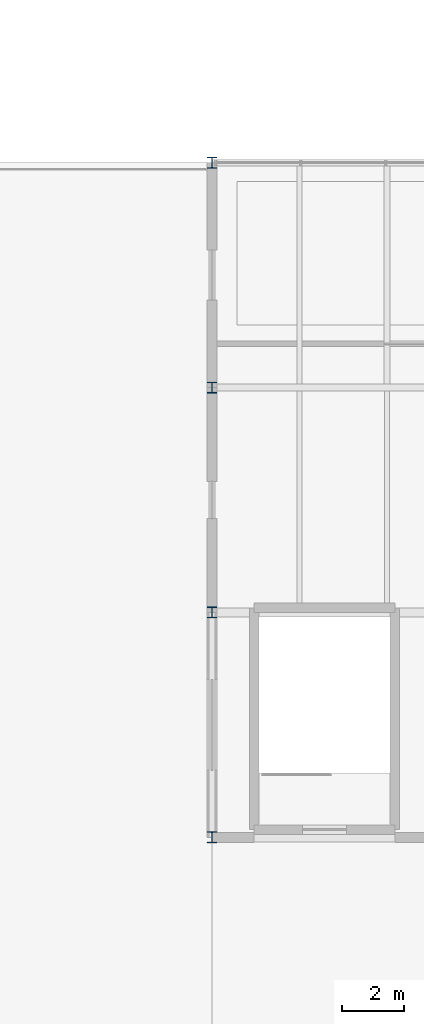
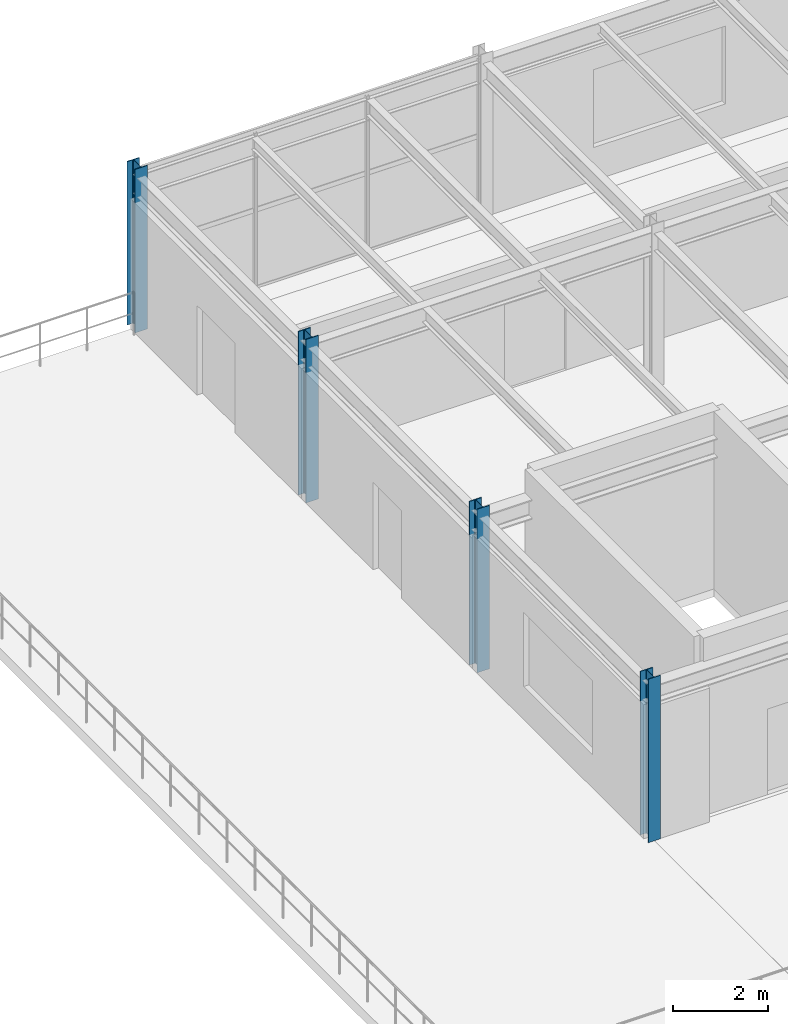
# One storey, part 1 of 134: 4 columns.
"""IFC4 building model written with IfcOpenShell, lengths in metres."""

from ifc_helpers import new_model, si_unit, derived_unit, direction, frame, origin, origin_2d, place, context, subcontext, project, spatial, i_section, extrude, material, material_profile, profile_set, type_object, element, save


model = new_model("IFC4")

# Units and contexts
model_context = context("Model", 3, precision=1e-05, world=origin(), true_north=direction((0.0, 1.0)))
body_context = subcontext(model_context, "Body", "Model", "MODEL_VIEW")
ifc_project = project(units=[si_unit("LENGTHUNIT", "METRE"), si_unit("AREAUNIT", "SQUARE_METRE"), si_unit("VOLUMEUNIT", "CUBIC_METRE"), si_unit("PLANEANGLEUNIT", "RADIAN"), si_unit("MASSUNIT", "GRAM", prefix="KILO"), derived_unit("THERMALTRANSMITTANCEUNIT", [(si_unit("MASSUNIT", "GRAM", prefix="KILO"), 1), (si_unit("TIMEUNIT", "SECOND"), -3), (si_unit("THERMODYNAMICTEMPERATUREUNIT", "KELVIN"), -1)])], contexts=[model_context])

# Site, building, storey
site_placement = place(None, origin())
site = spatial("IfcSite", under=ifc_project, at=site_placement, CompositionType="ELEMENT")
building_placement = place(site_placement, origin())
building = spatial("IfcBuilding", under=site, at=building_placement, Name="Kharveza Railside Sports Centre", CompositionType="ELEMENT")
storey_placement = place(building_placement, frame((0.0, 0.0, 12.89990234375)))
storey = spatial("IfcBuildingStorey", under=building, at=storey_placement, Name="L03", CompositionType="ELEMENT", Elevation=12.89990234375)

# Columns
ifc_material = material(Name="Steel S355J2", Category="steel")
ifc_material_profile = material_profile(ifc_material, i_section(OverallWidth=0.300048828125, OverallDepth=0.35009765625, WebThickness=0.010009765625, FlangeThickness=0.017578125, FilletRadius=0.027099609375, at=origin_2d()), Name="HEA 360")
ifc_profile_set = profile_set([ifc_material_profile], Name="Steel S355J2")
column_type = type_object("IfcColumnType", Name="COL-S11", PredefinedType="COLUMN", material=ifc_profile_set)
for number, where, z_axis, x_axis, name in (
    (1, (126.0, 14.39990234375, 0.0), (0.0, 0.0, 1.0), (1.0, 0.0, 0.0), "COL-G-C11-X1260-Y144-L03"),
    (2, (126.0, 21.60009765625, 0.0), (0.0, 0.0, 1.0), (1.0, 0.0, 0.0), "COL-G-C11-X1260-Y216-L03"),
    (3, (126.0, 28.800048828125, 0.0), (0.0, 0.0, 1.0), (1.0, 0.0, 0.0), "COL-G-C11-X1260-Y288-L03"),
    (4, (126.0, 36.0, 0.0), (0.0, 0.0, 1.0), (1.0, 0.0, 0.0), "COL-G-C11-X1260-Y360-L03"),
):
    element("IfcColumn", number, at=place(storey_placement, frame(where, z_axis=z_axis, x_axis=x_axis)), inside=storey, type_object=column_type, Name=name, PredefinedType="COLUMN", context=body_context, shape_type="SweptSolid", body=[
        extrude(i_section(OverallWidth=0.300048828125, OverallDepth=0.35009765625, WebThickness=0.010009765625, FlangeThickness=0.017578125, FilletRadius=0.027099609375, at=origin_2d()), origin(), (0.0, 0.0, 1.0), 4.2001953125),
    ])

save(model, "model.ifc")
